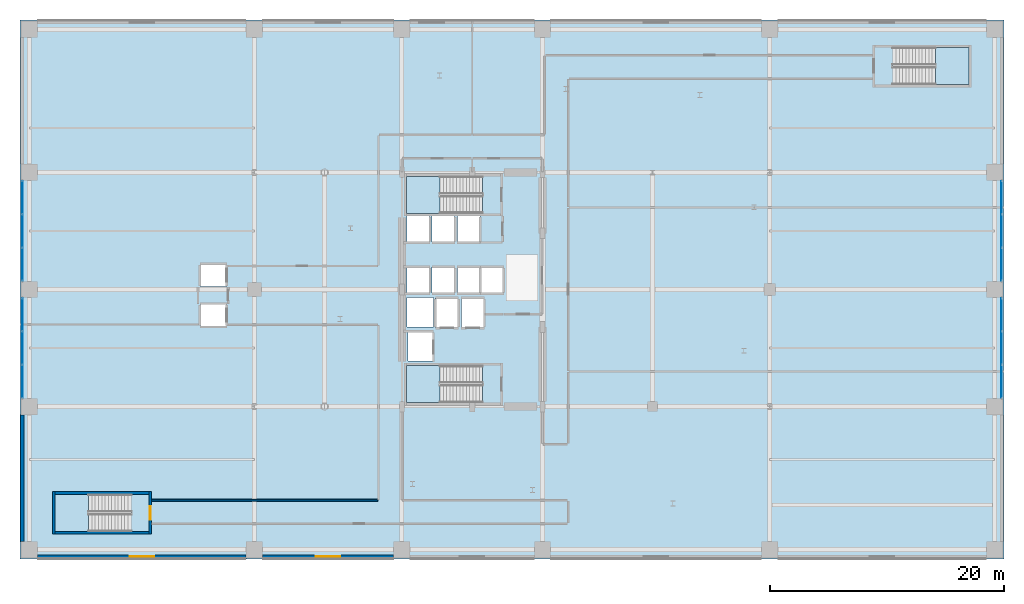
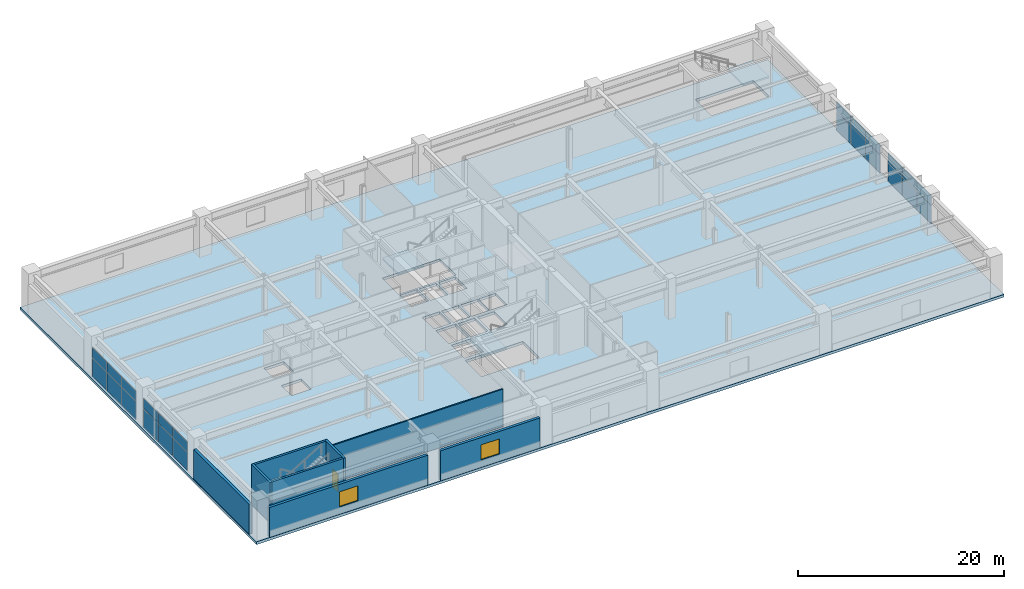
# One storey, part 19 of 28: 24 plates, 8 walls, 5 slabs, 2 windows, 1 door, 3 openings, 8 elements without a shape of their own.
"""IFC4 building model written with IfcOpenShell, lengths in metres."""

from ifc_helpers import new_model, si_unit, direction, frame, frame_2d, origin, origin_2d, place, context, subcontext, project, spatial, polyline, rectangle, outline, extrude, material, layer, layer_set, type_object, element, fill, aggregate, save


model = new_model("IFC4")

# Units and contexts
model_context = context("Model", 3, precision=1e-05, world=origin(), true_north=direction((0.0, 1.0)))
body_context = subcontext(model_context, "Body", "Model", "MODEL_VIEW")
ifc_project = project(units=[si_unit("LENGTHUNIT", "METRE"), si_unit("AREAUNIT", "SQUARE_METRE"), si_unit("VOLUMEUNIT", "CUBIC_METRE"), si_unit("PLANEANGLEUNIT", "RADIAN"), si_unit("MASSUNIT", "GRAM", prefix="KILO")], contexts=[model_context])

# Site, building, storey
site_placement = place(None, origin())
site = spatial("IfcSite", under=ifc_project, at=site_placement, CompositionType="ELEMENT")
building_placement = place(site_placement, origin())
building = spatial("IfcBuilding", under=site, at=building_placement, Name="Soratama Intermodal Tower", CompositionType="ELEMENT")
storey_placement = place(building_placement, frame((0.0, 0.0, 11.39990234375)))
storey = spatial("IfcBuildingStorey", under=building, at=storey_placement, Name="L02", CompositionType="ELEMENT", Elevation=11.39990234375)

# Curtain wall, plates
ifc_material_1 = material(Name="Double-glazed aluminium curtain wall", Category="aluminium")
ifc_layer_1 = layer(ifc_material_1, 0.159912109375)
ifc_layer_set_1 = layer_set([ifc_layer_1], Name="Double-glazed aluminium curtain wall")
curtain_wall_type = type_object("IfcCurtainWallType", Name="CW-SYS-1", PredefinedType="NOTDEFINED", material=ifc_layer_set_1)
curtain_wall_1_placement = place(storey_placement, origin())
curtain_wall_1 = element("IfcCurtainWall", 1, at=curtain_wall_1_placement, inside=storey, type_object=curtain_wall_type, Name="L02 Station Curtain Wall E1", PredefinedType="NOTDEFINED")
ifc_material_2 = material(Name="Low-E laminated double glazing", Category="glass")
ifc_layer_2 = layer(ifc_material_2, 0.035888671875)
ifc_layer_set_2 = layer_set([ifc_layer_2], Name="Low-E laminated double glazing")
plate_type = type_object("IfcPlateType", Name="PT-CWP-1", PredefinedType="CURTAIN_PANEL", material=ifc_layer_set_2)
plate_1_placement = place(storey_placement, frame((83.800048828125, 17.1484375, 0.06005859375), z_axis=(0.0, 0.0, 1.0), x_axis=(0.0, 1.0, 0.0)))
plate_1 = element("IfcPlate", 2, at=plate_1_placement, type_object=plate_type, Name="CW-1 panel 1.1", PredefinedType="CURTAIN_PANEL", context=body_context, shape_type="SweptSolid", body=[
    extrude(rectangle(XDim=2.776611328125, YDim=0.028076171875, at=origin_2d()), origin(), (0.0, 0.0, 1.0), 2.159912109375),
])
plate_2_placement = place(storey_placement, frame((83.800048828125, 17.1484375, 2.2802734375), z_axis=(0.0, 0.0, 1.0), x_axis=(0.0, 1.0, 0.0)))
plate_2 = element("IfcPlate", 3, at=plate_2_placement, type_object=plate_type, Name="CW-1 panel 1.2", PredefinedType="CURTAIN_PANEL", context=body_context, shape_type="SweptSolid", body=[
    extrude(rectangle(XDim=2.776611328125, YDim=0.028076171875, at=origin_2d()), origin(), (0.0, 0.0, 1.0), 1.196044921875),
])
plate_3_placement = place(storey_placement, frame((83.800048828125, 20.0, 0.06005859375), z_axis=(0.0, 0.0, 1.0), x_axis=(0.0, 1.0, 0.0)))
plate_3 = element("IfcPlate", 4, at=plate_3_placement, type_object=plate_type, Name="CW-1 panel 2.1", PredefinedType="CURTAIN_PANEL", context=body_context, shape_type="SweptSolid", body=[
    extrude(rectangle(XDim=2.806640625, YDim=0.028076171875, at=origin_2d()), origin(), (0.0, 0.0, 1.0), 2.159912109375),
])
plate_4_placement = place(storey_placement, frame((83.800048828125, 20.0, 2.2802734375), z_axis=(0.0, 0.0, 1.0), x_axis=(0.0, 1.0, 0.0)))
plate_4 = element("IfcPlate", 5, at=plate_4_placement, type_object=plate_type, Name="CW-1 panel 2.2", PredefinedType="CURTAIN_PANEL", context=body_context, shape_type="SweptSolid", body=[
    extrude(rectangle(XDim=2.806640625, YDim=0.028076171875, at=origin_2d()), origin(), (0.0, 0.0, 1.0), 1.196044921875),
])
plate_5_placement = place(storey_placement, frame((83.800048828125, 22.8515625, 0.06005859375), z_axis=(0.0, 0.0, 1.0), x_axis=(0.0, 1.0, 0.0)))
plate_5 = element("IfcPlate", 6, at=plate_5_placement, type_object=plate_type, Name="CW-1 panel 3.1", PredefinedType="CURTAIN_PANEL", context=body_context, shape_type="SweptSolid", body=[
    extrude(rectangle(XDim=2.776611328125, YDim=0.028076171875, at=origin_2d()), origin(), (0.0, 0.0, 1.0), 2.159912109375),
])
plate_6_placement = place(storey_placement, frame((83.800048828125, 22.8515625, 2.2802734375), z_axis=(0.0, 0.0, 1.0), x_axis=(0.0, 1.0, 0.0)))
plate_6 = element("IfcPlate", 7, at=plate_6_placement, type_object=plate_type, Name="CW-1 panel 3.2", PredefinedType="CURTAIN_PANEL", context=body_context, shape_type="SweptSolid", body=[
    extrude(rectangle(XDim=2.776611328125, YDim=0.028076171875, at=origin_2d()), origin(), (0.0, 0.0, 1.0), 1.196044921875),
])
aggregate(curtain_wall_1, [plate_1, plate_2, plate_3, plate_4, plate_5, plate_6])

curtain_wall_2_placement = place(storey_placement, origin())
curtain_wall_2 = element("IfcCurtainWall", 8, at=curtain_wall_2_placement, inside=storey, type_object=curtain_wall_type, Name="L02 Station Curtain Wall E2", PredefinedType="NOTDEFINED")
plate_7_placement = place(storey_placement, frame((83.800048828125, 27.1484375, 0.06005859375), z_axis=(0.0, 0.0, 1.0), x_axis=(0.0, 1.0, 0.0)))
plate_7 = element("IfcPlate", 9, at=plate_7_placement, type_object=plate_type, Name="CW-1 panel 1.1", PredefinedType="CURTAIN_PANEL", context=body_context, shape_type="SweptSolid", body=[
    extrude(rectangle(XDim=2.776611328125, YDim=0.028076171875, at=origin_2d()), origin(), (0.0, 0.0, 1.0), 2.159912109375),
])
plate_8_placement = place(storey_placement, frame((83.800048828125, 27.1484375, 2.2802734375), z_axis=(0.0, 0.0, 1.0), x_axis=(0.0, 1.0, 0.0)))
plate_8 = element("IfcPlate", 10, at=plate_8_placement, type_object=plate_type, Name="CW-1 panel 1.2", PredefinedType="CURTAIN_PANEL", context=body_context, shape_type="SweptSolid", body=[
    extrude(rectangle(XDim=2.776611328125, YDim=0.028076171875, at=origin_2d()), origin(), (0.0, 0.0, 1.0), 1.196044921875),
])
plate_9_placement = place(storey_placement, frame((83.800048828125, 30.0, 0.06005859375), z_axis=(0.0, 0.0, 1.0), x_axis=(0.0, 1.0, 0.0)))
plate_9 = element("IfcPlate", 11, at=plate_9_placement, type_object=plate_type, Name="CW-1 panel 2.1", PredefinedType="CURTAIN_PANEL", context=body_context, shape_type="SweptSolid", body=[
    extrude(rectangle(XDim=2.806640625, YDim=0.028076171875, at=origin_2d()), origin(), (0.0, 0.0, 1.0), 2.159912109375),
])
plate_10_placement = place(storey_placement, frame((83.800048828125, 30.0, 2.2802734375), z_axis=(0.0, 0.0, 1.0), x_axis=(0.0, 1.0, 0.0)))
plate_10 = element("IfcPlate", 12, at=plate_10_placement, type_object=plate_type, Name="CW-1 panel 2.2", PredefinedType="CURTAIN_PANEL", context=body_context, shape_type="SweptSolid", body=[
    extrude(rectangle(XDim=2.806640625, YDim=0.028076171875, at=origin_2d()), origin(), (0.0, 0.0, 1.0), 1.196044921875),
])
plate_11_placement = place(storey_placement, frame((83.800048828125, 32.8515625, 0.06005859375), z_axis=(0.0, 0.0, 1.0), x_axis=(0.0, 1.0, 0.0)))
plate_11 = element("IfcPlate", 13, at=plate_11_placement, type_object=plate_type, Name="CW-1 panel 3.1", PredefinedType="CURTAIN_PANEL", context=body_context, shape_type="SweptSolid", body=[
    extrude(rectangle(XDim=2.776611328125, YDim=0.028076171875, at=origin_2d()), origin(), (0.0, 0.0, 1.0), 2.159912109375),
])
plate_12_placement = place(storey_placement, frame((83.800048828125, 32.8515625, 2.2802734375), z_axis=(0.0, 0.0, 1.0), x_axis=(0.0, 1.0, 0.0)))
plate_12 = element("IfcPlate", 14, at=plate_12_placement, type_object=plate_type, Name="CW-1 panel 3.2", PredefinedType="CURTAIN_PANEL", context=body_context, shape_type="SweptSolid", body=[
    extrude(rectangle(XDim=2.776611328125, YDim=0.028076171875, at=origin_2d()), origin(), (0.0, 0.0, 1.0), 1.196044921875),
])
aggregate(curtain_wall_2, [plate_7, plate_8, plate_9, plate_10, plate_11, plate_12])

curtain_wall_3_placement = place(storey_placement, origin())
curtain_wall_3 = element("IfcCurtainWall", 15, at=curtain_wall_3_placement, inside=storey, type_object=curtain_wall_type, Name="L02 Station Curtain Wall W1", PredefinedType="NOTDEFINED")
plate_13_placement = place(storey_placement, frame((0.199951171875, 17.1484375, 0.06005859375), z_axis=(0.0, 0.0, 1.0), x_axis=(0.0, 1.0, 0.0)))
plate_13 = element("IfcPlate", 16, at=plate_13_placement, type_object=plate_type, Name="CW-1 panel 1.1", PredefinedType="CURTAIN_PANEL", context=body_context, shape_type="SweptSolid", body=[
    extrude(rectangle(XDim=2.776611328125, YDim=0.028076171875, at=origin_2d()), origin(), (0.0, 0.0, 1.0), 2.159912109375),
])
plate_14_placement = place(storey_placement, frame((0.199951171875, 17.1484375, 2.2802734375), z_axis=(0.0, 0.0, 1.0), x_axis=(0.0, 1.0, 0.0)))
plate_14 = element("IfcPlate", 17, at=plate_14_placement, type_object=plate_type, Name="CW-1 panel 1.2", PredefinedType="CURTAIN_PANEL", context=body_context, shape_type="SweptSolid", body=[
    extrude(rectangle(XDim=2.776611328125, YDim=0.028076171875, at=origin_2d()), origin(), (0.0, 0.0, 1.0), 1.196044921875),
])
plate_15_placement = place(storey_placement, frame((0.199951171875, 20.0, 0.06005859375), z_axis=(0.0, 0.0, 1.0), x_axis=(0.0, 1.0, 0.0)))
plate_15 = element("IfcPlate", 18, at=plate_15_placement, type_object=plate_type, Name="CW-1 panel 2.1", PredefinedType="CURTAIN_PANEL", context=body_context, shape_type="SweptSolid", body=[
    extrude(rectangle(XDim=2.806640625, YDim=0.028076171875, at=origin_2d()), origin(), (0.0, 0.0, 1.0), 2.159912109375),
])
plate_16_placement = place(storey_placement, frame((0.199951171875, 20.0, 2.2802734375), z_axis=(0.0, 0.0, 1.0), x_axis=(0.0, 1.0, 0.0)))
plate_16 = element("IfcPlate", 19, at=plate_16_placement, type_object=plate_type, Name="CW-1 panel 2.2", PredefinedType="CURTAIN_PANEL", context=body_context, shape_type="SweptSolid", body=[
    extrude(rectangle(XDim=2.806640625, YDim=0.028076171875, at=origin_2d()), origin(), (0.0, 0.0, 1.0), 1.196044921875),
])
plate_17_placement = place(storey_placement, frame((0.199951171875, 22.8515625, 0.06005859375), z_axis=(0.0, 0.0, 1.0), x_axis=(0.0, 1.0, 0.0)))
plate_17 = element("IfcPlate", 20, at=plate_17_placement, type_object=plate_type, Name="CW-1 panel 3.1", PredefinedType="CURTAIN_PANEL", context=body_context, shape_type="SweptSolid", body=[
    extrude(rectangle(XDim=2.776611328125, YDim=0.028076171875, at=origin_2d()), origin(), (0.0, 0.0, 1.0), 2.159912109375),
])
plate_18_placement = place(storey_placement, frame((0.199951171875, 22.8515625, 2.2802734375), z_axis=(0.0, 0.0, 1.0), x_axis=(0.0, 1.0, 0.0)))
plate_18 = element("IfcPlate", 21, at=plate_18_placement, type_object=plate_type, Name="CW-1 panel 3.2", PredefinedType="CURTAIN_PANEL", context=body_context, shape_type="SweptSolid", body=[
    extrude(rectangle(XDim=2.776611328125, YDim=0.028076171875, at=origin_2d()), origin(), (0.0, 0.0, 1.0), 1.196044921875),
])
aggregate(curtain_wall_3, [plate_13, plate_14, plate_15, plate_16, plate_17, plate_18])

curtain_wall_4_placement = place(storey_placement, origin())
curtain_wall_4 = element("IfcCurtainWall", 22, at=curtain_wall_4_placement, inside=storey, type_object=curtain_wall_type, Name="L02 Station Curtain Wall W2", PredefinedType="NOTDEFINED")
plate_19_placement = place(storey_placement, frame((0.199951171875, 27.1484375, 0.06005859375), z_axis=(0.0, 0.0, 1.0), x_axis=(0.0, 1.0, 0.0)))
plate_19 = element("IfcPlate", 23, at=plate_19_placement, type_object=plate_type, Name="CW-1 panel 1.1", PredefinedType="CURTAIN_PANEL", context=body_context, shape_type="SweptSolid", body=[
    extrude(rectangle(XDim=2.776611328125, YDim=0.028076171875, at=origin_2d()), origin(), (0.0, 0.0, 1.0), 2.159912109375),
])
plate_20_placement = place(storey_placement, frame((0.199951171875, 27.1484375, 2.2802734375), z_axis=(0.0, 0.0, 1.0), x_axis=(0.0, 1.0, 0.0)))
plate_20 = element("IfcPlate", 24, at=plate_20_placement, type_object=plate_type, Name="CW-1 panel 1.2", PredefinedType="CURTAIN_PANEL", context=body_context, shape_type="SweptSolid", body=[
    extrude(rectangle(XDim=2.776611328125, YDim=0.028076171875, at=origin_2d()), origin(), (0.0, 0.0, 1.0), 1.196044921875),
])
plate_21_placement = place(storey_placement, frame((0.199951171875, 30.0, 0.06005859375), z_axis=(0.0, 0.0, 1.0), x_axis=(0.0, 1.0, 0.0)))
plate_21 = element("IfcPlate", 25, at=plate_21_placement, type_object=plate_type, Name="CW-1 panel 2.1", PredefinedType="CURTAIN_PANEL", context=body_context, shape_type="SweptSolid", body=[
    extrude(rectangle(XDim=2.806640625, YDim=0.028076171875, at=origin_2d()), origin(), (0.0, 0.0, 1.0), 2.159912109375),
])
plate_22_placement = place(storey_placement, frame((0.199951171875, 30.0, 2.2802734375), z_axis=(0.0, 0.0, 1.0), x_axis=(0.0, 1.0, 0.0)))
plate_22 = element("IfcPlate", 26, at=plate_22_placement, type_object=plate_type, Name="CW-1 panel 2.2", PredefinedType="CURTAIN_PANEL", context=body_context, shape_type="SweptSolid", body=[
    extrude(rectangle(XDim=2.806640625, YDim=0.028076171875, at=origin_2d()), origin(), (0.0, 0.0, 1.0), 1.196044921875),
])
plate_23_placement = place(storey_placement, frame((0.199951171875, 32.8515625, 0.06005859375), z_axis=(0.0, 0.0, 1.0), x_axis=(0.0, 1.0, 0.0)))
plate_23 = element("IfcPlate", 27, at=plate_23_placement, type_object=plate_type, Name="CW-1 panel 3.1", PredefinedType="CURTAIN_PANEL", context=body_context, shape_type="SweptSolid", body=[
    extrude(rectangle(XDim=2.776611328125, YDim=0.028076171875, at=origin_2d()), origin(), (0.0, 0.0, 1.0), 2.159912109375),
])
plate_24_placement = place(storey_placement, frame((0.199951171875, 32.8515625, 2.2802734375), z_axis=(0.0, 0.0, 1.0), x_axis=(0.0, 1.0, 0.0)))
plate_24 = element("IfcPlate", 28, at=plate_24_placement, type_object=plate_type, Name="CW-1 panel 3.2", PredefinedType="CURTAIN_PANEL", context=body_context, shape_type="SweptSolid", body=[
    extrude(rectangle(XDim=2.776611328125, YDim=0.028076171875, at=origin_2d()), origin(), (0.0, 0.0, 1.0), 1.196044921875),
])
aggregate(curtain_wall_4, [plate_19, plate_20, plate_21, plate_22, plate_23, plate_24])

# Slab
ifc_material_3 = material(Name="Concrete f'c 42 MPa", Category="concrete")
ifc_layer_3 = layer(ifc_material_3, 0.320068359375)
ifc_layer_set_3 = layer_set([ifc_layer_3], Name="Concrete f'c 42 MPa")
slab_type_1 = type_object("IfcSlabType", Name="SL-POD-320", PredefinedType="FLOOR", material=ifc_layer_set_3)
slab_1_placement = place(storey_placement, frame((0.0, 0.0, -0.31982421875)))
element("IfcSlab", 29, at=slab_1_placement, inside=storey, type_object=slab_type_1, Name="L02 Structural Floor Slab", PredefinedType="FLOOR", context=body_context, shape_type="SweptSolid", body=[
    extrude(outline(polyline([(0.0, 2.0), (84.0, 2.0), (84.0, 48.0), (0.0, 48.0), (0.0, 2.0)]), holes=[polyline([(9.47509765625, 7.5), (3.0, 7.5), (3.0, 4.35009765625), (9.47509765625, 4.35009765625), (9.47509765625, 7.5)]), polyline([(35.260009765625, 18.889892578125), (35.260009765625, 21.409912109375), (33.139892578125, 21.409912109375), (33.139892578125, 18.889892578125), (35.260009765625, 18.889892578125)]), polyline([(17.610107421875, 21.840087890625), (17.610107421875, 23.760009765625), (15.389892578125, 23.760009765625), (15.389892578125, 21.840087890625), (17.610107421875, 21.840087890625)]), polyline([(33.050048828125, 21.800048828125), (35.280029296875, 21.800048828125), (35.280029296875, 24.320068359375), (33.050048828125, 24.320068359375), (33.050048828125, 21.800048828125)]), polyline([(34.9599609375, 24.68994140625), (34.9599609375, 26.909912109375), (33.0400390625, 26.909912109375), (33.0400390625, 24.68994140625), (34.9599609375, 24.68994140625)]), polyline([(37.110107421875, 24.68994140625), (37.110107421875, 26.909912109375), (35.18994140625, 26.909912109375), (35.18994140625, 24.68994140625), (37.110107421875, 24.68994140625)]), polyline([(17.610107421875, 25.239990234375), (17.610107421875, 27.159912109375), (15.389892578125, 27.159912109375), (15.389892578125, 25.239990234375), (17.610107421875, 25.239990234375)]), polyline([(34.9599609375, 29.0400390625), (34.9599609375, 31.260009765625), (33.0400390625, 31.260009765625), (33.0400390625, 29.0400390625), (34.9599609375, 29.0400390625)]), polyline([(37.110107421875, 29.0400390625), (37.110107421875, 31.260009765625), (35.18994140625, 31.260009765625), (35.18994140625, 29.0400390625), (37.110107421875, 29.0400390625)]), polyline([(39.47509765625, 18.5), (33.0, 18.5), (33.0, 15.35009765625), (39.47509765625, 15.35009765625), (39.47509765625, 18.5)]), polyline([(37.409912109375, 21.739990234375), (37.409912109375, 24.260009765625), (35.489990234375, 24.260009765625), (35.489990234375, 21.739990234375), (37.409912109375, 21.739990234375)]), polyline([(39.610107421875, 21.739990234375), (39.610107421875, 24.260009765625), (37.68994140625, 24.260009765625), (37.68994140625, 21.739990234375), (39.610107421875, 21.739990234375)]), polyline([(39.260009765625, 24.68994140625), (39.260009765625, 26.909912109375), (37.340087890625, 26.909912109375), (37.340087890625, 24.68994140625), (39.260009765625, 24.68994140625)]), polyline([(41.260009765625, 24.68994140625), (41.260009765625, 26.909912109375), (39.340087890625, 26.909912109375), (39.340087890625, 24.68994140625), (41.260009765625, 24.68994140625)]), polyline([(39.260009765625, 29.0400390625), (39.260009765625, 31.260009765625), (37.340087890625, 31.260009765625), (37.340087890625, 29.0400390625), (39.260009765625, 29.0400390625)]), polyline([(39.47509765625, 31.5), (39.47509765625, 34.64990234375), (33.0, 34.64990234375), (33.0, 31.5), (39.47509765625, 31.5)]), polyline([(74.52490234375, 45.64990234375), (74.52490234375, 42.5), (81.0, 42.5), (81.0, 45.64990234375), (74.52490234375, 45.64990234375)])]), origin(), (0.0, 0.0, 1.0), 0.31982421875),
])

# Stair, slab
ifc_material_4 = material(Name="Concrete f'c 42 MPa", Category="concrete")
stair_type = type_object("IfcStairType", Name="ST-CORE-DOGLEG", PredefinedType="HALF_TURN_STAIR", material=ifc_material_4)
stair_1_placement = place(storey_placement, origin())
stair_1 = element("IfcStair", 30, at=stair_1_placement, inside=storey, type_object=stair_type, Name="L02 ST-1", PredefinedType="HALF_TURN_STAIR")
ifc_material_5 = material(Name="Concrete f'c 42 MPa", Category="concrete")
ifc_layer_4 = layer(ifc_material_5, 0.219970703125)
ifc_layer_set_4 = layer_set([ifc_layer_4], Name="Concrete f'c 42 MPa")
slab_type_2 = type_object("IfcSlabType", Name="SL-STAIR-LAND", PredefinedType="LANDING", material=ifc_layer_set_4)
slab_2_placement = place(storey_placement, frame((0.0, 0.0, 2.2001953125)))
slab_2 = element("IfcSlab", 31, at=slab_2_placement, type_object=slab_type_2, Name="ST-1 landing 1", PredefinedType="LANDING", context=body_context, shape_type="SweptSolid", body=[
    extrude(outline(polyline([(35.860107421875, 18.5), (33.0, 18.5), (33.0, 15.35009765625), (35.860107421875, 15.35009765625), (35.860107421875, 18.5)])), origin(), (0.0, 0.0, 1.0), 0.199951171875),
])
aggregate(stair_1, [slab_2])

stair_2_placement = place(storey_placement, origin())
stair_2 = element("IfcStair", 32, at=stair_2_placement, inside=storey, type_object=stair_type, Name="L02 ST-2", PredefinedType="HALF_TURN_STAIR")
slab_3_placement = place(storey_placement, frame((0.0, 0.0, 2.2001953125)))
slab_3 = element("IfcSlab", 33, at=slab_3_placement, type_object=slab_type_2, Name="ST-2 landing 1", PredefinedType="LANDING", context=body_context, shape_type="SweptSolid", body=[
    extrude(outline(polyline([(35.860107421875, 34.64990234375), (33.0, 34.64990234375), (33.0, 31.5), (35.860107421875, 31.5), (35.860107421875, 34.64990234375)])), origin(), (0.0, 0.0, 1.0), 0.199951171875),
])
aggregate(stair_2, [slab_3])

stair_3_placement = place(storey_placement, origin())
stair_3 = element("IfcStair", 34, at=stair_3_placement, inside=storey, type_object=stair_type, Name="L02 ST-3", PredefinedType="HALF_TURN_STAIR")
slab_4_placement = place(storey_placement, frame((0.0, 0.0, 2.2001953125)))
slab_4 = element("IfcSlab", 35, at=slab_4_placement, type_object=slab_type_2, Name="ST-3 landing 1", PredefinedType="LANDING", context=body_context, shape_type="SweptSolid", body=[
    extrude(outline(polyline([(5.860107421875, 7.5), (3.0, 7.5), (3.0, 4.35009765625), (5.860107421875, 4.35009765625), (5.860107421875, 7.5)])), origin(), (0.0, 0.0, 1.0), 0.199951171875),
])
aggregate(stair_3, [slab_4])

stair_4_placement = place(storey_placement, origin())
stair_4 = element("IfcStair", 36, at=stair_4_placement, inside=storey, type_object=stair_type, Name="L02 ST-4", PredefinedType="HALF_TURN_STAIR")
slab_5_placement = place(storey_placement, frame((0.0, 0.0, 2.2001953125)))
slab_5 = element("IfcSlab", 37, at=slab_5_placement, type_object=slab_type_2, Name="ST-4 landing 1", PredefinedType="LANDING", context=body_context, shape_type="SweptSolid", body=[
    extrude(outline(polyline([(78.139892578125, 42.5), (81.0, 42.5), (81.0, 45.64990234375), (78.139892578125, 45.64990234375), (78.139892578125, 42.5)])), origin(), (0.0, 0.0, 1.0), 0.199951171875),
])
aggregate(stair_4, [slab_5])

# Wall, opening, window
ifc_material_6 = material(Name="Concrete f'c 42 MPa", Category="concrete")
ifc_layer_5 = layer(ifc_material_6, 0.300048828125)
ifc_layer_set_5 = layer_set([ifc_layer_5], Name="Concrete f'c 42 MPa")
wall_type_1 = type_object("IfcWallType", Name="EW-STONE-300", PredefinedType="SOLIDWALL", material=ifc_layer_set_5)
wall_1_placement = place(storey_placement, frame((19.300048828125, 2.199951171875, 0.0), z_axis=(0.0, 0.0, 1.0), x_axis=(-1.0, 0.0, 0.0)))
wall_1 = element("IfcWall", 38, at=wall_1_placement, inside=storey, type_object=wall_type_1, Name="L02 S Limestone Wall B1", PredefinedType="SOLIDWALL", context=body_context, shape_type="SweptSolid", body=[
    extrude(rectangle(XDim=17.800048828125, YDim=0.300048828125, at=frame_2d((8.89990234375, 0.0))), origin(), (0.0, 0.0, 1.0), 3.5361328125),
])
opening_1_placement = place(wall_1_placement, frame((7.85009765625, 0.0, 0.85009765625)))
opening_1 = element("IfcOpeningElement", 39, at=opening_1_placement, cuts=wall_1, Name="Opening WN-0", PredefinedType="OPENING", context=body_context, shape_type="SweptSolid", body=[
    extrude(rectangle(XDim=2.10009765625, YDim=1.800048828125, at=frame_2d((1.050048828125, 0.89990234375))), frame((0.0, 0.159912109375, 0.0), z_axis=(0.0, -1.0, 0.0), x_axis=(1.0, 0.0, 0.0)), (0.0, 0.0, 1.0), 0.320068359375),
])
ifc_material_7 = material(Name="Double-glazed aluminium window", Category="aluminium")
window_type = type_object("IfcWindowType", Name="WN-POD-2100", PartitioningType="SINGLE_PANEL", PredefinedType="WINDOW", material=ifc_material_7)
window_1_placement = place(opening_1_placement, origin())
window_1 = element("IfcWindow", 40, at=window_1_placement, inside=storey, type_object=window_type, Name="L02 S Window B1", OverallHeight=1.800048828125, OverallWidth=2.10009765625, PartitioningType="SINGLE_PANEL", PredefinedType="WINDOW", context=body_context, shape_type="SweptSolid", body=[
    extrude(rectangle(XDim=2.10009765625, YDim=1.800048828125, at=frame_2d((1.050048828125, 0.89990234375))), frame((0.0, 0.030029296875, 0.0), z_axis=(0.0, -1.0, 0.0), x_axis=(1.0, 0.0, 0.0)), (0.0, 0.0, 1.0), 0.06005859375),
])
fill(opening_1, window_1)

wall_2_placement = place(storey_placement, frame((31.89990234375, 2.199951171875, 0.0), z_axis=(0.0, 0.0, 1.0), x_axis=(-1.0, 0.0, 0.0)))
wall_2 = element("IfcWall", 41, at=wall_2_placement, inside=storey, type_object=wall_type_1, Name="L02 S Limestone Wall B2", PredefinedType="SOLIDWALL", context=body_context, shape_type="SweptSolid", body=[
    extrude(rectangle(XDim=11.199951171875, YDim=0.300048828125, at=frame_2d((5.60009765625, 0.0))), origin(), (0.0, 0.0, 1.0), 3.5361328125),
])
opening_2_placement = place(wall_2_placement, frame((4.550048828125, 0.0, 0.85009765625)))
opening_2 = element("IfcOpeningElement", 42, at=opening_2_placement, cuts=wall_2, Name="Opening WN-0", PredefinedType="OPENING", context=body_context, shape_type="SweptSolid", body=[
    extrude(rectangle(XDim=2.10009765625, YDim=1.800048828125, at=frame_2d((1.050048828125, 0.89990234375))), frame((0.0, 0.159912109375, 0.0), z_axis=(0.0, -1.0, 0.0), x_axis=(1.0, 0.0, 0.0)), (0.0, 0.0, 1.0), 0.320068359375),
])
window_2_placement = place(opening_2_placement, origin())
window_2 = element("IfcWindow", 43, at=window_2_placement, inside=storey, type_object=window_type, Name="L02 S Window B2", OverallHeight=1.800048828125, OverallWidth=2.10009765625, PartitioningType="SINGLE_PANEL", PredefinedType="WINDOW", context=body_context, shape_type="SweptSolid", body=[
    extrude(rectangle(XDim=2.10009765625, YDim=1.800048828125, at=frame_2d((1.050048828125, 0.89990234375))), frame((0.0, 0.030029296875, 0.0), z_axis=(0.0, -1.0, 0.0), x_axis=(1.0, 0.0, 0.0)), (0.0, 0.0, 1.0), 0.06005859375),
])
fill(opening_2, window_2)

# Walls
wall_3_placement = place(storey_placement, frame((0.199951171875, 3.5, 0.0), z_axis=(0.0, 0.0, 1.0), x_axis=(0.0, 1.0, 0.0)))
element("IfcWall", 44, at=wall_3_placement, inside=storey, type_object=wall_type_1, Name="L02 Perimeter Wall WS", PredefinedType="SOLIDWALL", context=body_context, shape_type="SweptSolid", body=[
    extrude(rectangle(XDim=10.800048828125, YDim=0.300048828125, at=frame_2d((5.39990234375, 0.0))), origin(), (0.0, 0.0, 1.0), 3.5361328125),
])
ifc_material_8 = material(Name="Fire-rated gypsum stud partition", Category="concrete")
ifc_layer_6 = layer(ifc_material_8, 0.14990234375)
ifc_layer_set_6 = layer_set([ifc_layer_6], Name="Fire-rated gypsum stud partition")
wall_type_2 = type_object("IfcWallType", Name="IW-PART-R150", PredefinedType="PARTITIONING", material=ifc_layer_set_6)
wall_4_placement = place(storey_placement, frame((11.1201171875, 7.0, 0.0), z_axis=(0.0, 0.0, 1.0), x_axis=(1.0, 0.0, 0.0)))
element("IfcWall", 45, at=wall_4_placement, inside=storey, type_object=wall_type_2, Name="L02 Partition W-L02-TP006", PredefinedType="PARTITIONING", context=body_context, shape_type="SweptSolid", body=[
    extrude(rectangle(XDim=19.409912109375, YDim=0.14990234375, at=frame_2d((9.705078125, 0.0))), origin(), (0.0, 0.0, 1.0), 4.47998046875),
])
ifc_material_9 = material(Name="Concrete f'c 56 MPa", Category="concrete")
ifc_layer_7 = layer(ifc_material_9, 0.239990234375)
ifc_layer_set_7 = layer_set([ifc_layer_7], Name="Concrete f'c 56 MPa")
wall_type_3 = type_object("IfcWallType", Name="SW-STAIR-240", PredefinedType="SHEAR", material=ifc_layer_set_7)
wall_5_placement = place(storey_placement, frame((2.8798828125, 4.110107421875, 0.0), z_axis=(0.0, 0.0, 1.0), x_axis=(0.0, 1.0, 0.0)))
element("IfcWall", 46, at=wall_5_placement, inside=storey, type_object=wall_type_3, Name="L02 ST-3 Shaft Shear Wall W", PredefinedType="SHEAR", context=body_context, shape_type="SweptSolid", body=[
    extrude(rectangle(XDim=3.6298828125, YDim=0.239990234375, at=frame_2d((1.81494140625, 0.0))), origin(), (0.0, 0.0, 1.0), 4.800048828125),
])

# Wall, opening, door
wall_6_placement = place(storey_placement, frame((11.1201171875, 4.110107421875, 0.0), z_axis=(0.0, 0.0, 1.0), x_axis=(0.0, 1.0, 0.0)))
wall_6 = element("IfcWall", 47, at=wall_6_placement, inside=storey, type_object=wall_type_3, Name="L02 ST-3 Shaft Shear Wall E", PredefinedType="SHEAR", context=body_context, shape_type="SweptSolid", body=[
    extrude(rectangle(XDim=3.6298828125, YDim=0.239990234375, at=frame_2d((1.81494140625, 0.0))), origin(), (0.0, 0.0, 1.0), 4.800048828125),
])
opening_3_placement = place(wall_6_placement, frame((1.2548828125, 0.0, 0.0)))
opening_3 = element("IfcOpeningElement", 48, at=opening_3_placement, cuts=wall_6, Name="Opening SD-1", PredefinedType="OPENING", context=body_context, shape_type="SweptSolid", body=[
    extrude(rectangle(XDim=1.1201171875, YDim=2.14990234375, at=frame_2d((0.56005859375, 1.074951171875))), frame((0.0, 0.1298828125, 0.0), z_axis=(0.0, -1.0, 0.0), x_axis=(1.0, 0.0, 0.0)), (0.0, 0.0, 1.0), 0.260009765625),
])
ifc_material_10 = material(Name="Steel fire door", Category="steel")
door_type = type_object("IfcDoorType", Name="DR-STAIR-FD90", OperationType="NOTDEFINED", PredefinedType="DOOR", material=ifc_material_10)
door_placement = place(opening_3_placement, origin())
door = element("IfcDoor", 49, at=door_placement, inside=storey, type_object=door_type, Name="L02 ST-3 Exit Stair Door", OperationType="SINGLE_SWING_LEFT", OverallHeight=2.14990234375, OverallWidth=1.1201171875, PredefinedType="DOOR", context=body_context, shape_type="SweptSolid", body=[
    extrude(rectangle(XDim=1.1201171875, YDim=2.14990234375, at=frame_2d((0.56005859375, 1.074951171875))), frame((0.0, 0.02490234375, 0.0), z_axis=(0.0, -1.0, 0.0), x_axis=(1.0, 0.0, 0.0)), (0.0, 0.0, 1.0), 0.050048828125),
])
fill(opening_3, door)

# Walls
for number, where, z_axis, x_axis, name in (
    (50, (3.0, 4.22998046875, 0.0), (0.0, 0.0, 1.0), (1.0, 0.0, 0.0), "L02 ST-3 Shaft Shear Wall S"),
    (51, (3.0, 7.6201171875, 0.0), (0.0, 0.0, 1.0), (1.0, 0.0, 0.0), "L02 ST-3 Shaft Shear Wall N"),
):
    element("IfcWall", number, at=place(storey_placement, frame(where, z_axis=z_axis, x_axis=x_axis)), inside=storey, type_object=wall_type_3, Name=name, PredefinedType="SHEAR", context=body_context, shape_type="SweptSolid", body=[
        extrude(rectangle(XDim=8.0, YDim=0.239990234375, at=frame_2d((4.0, 0.0))), origin(), (0.0, 0.0, 1.0), 4.800048828125),
    ])

save(model, "model.ifc")
